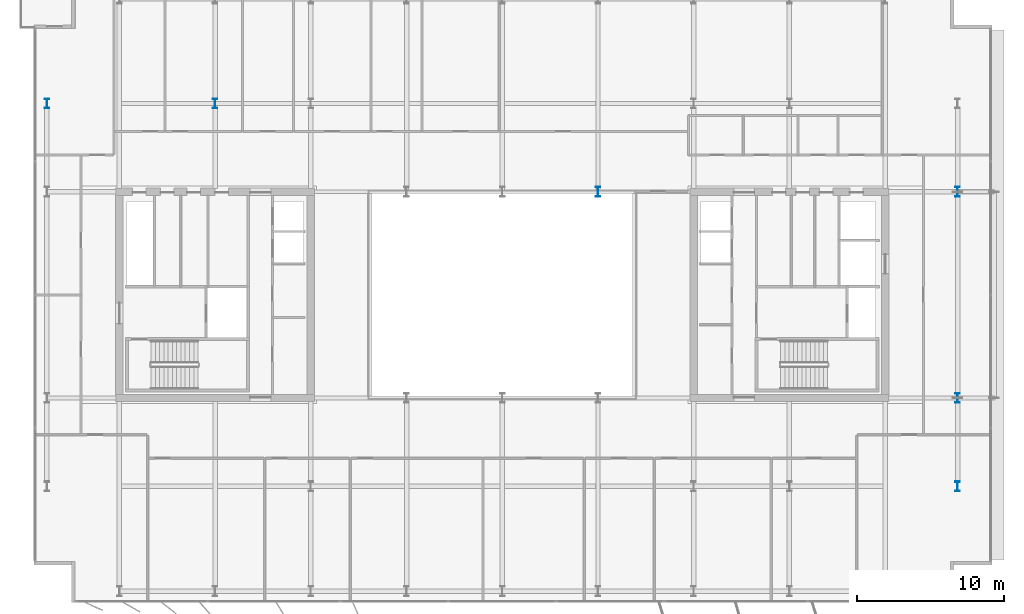
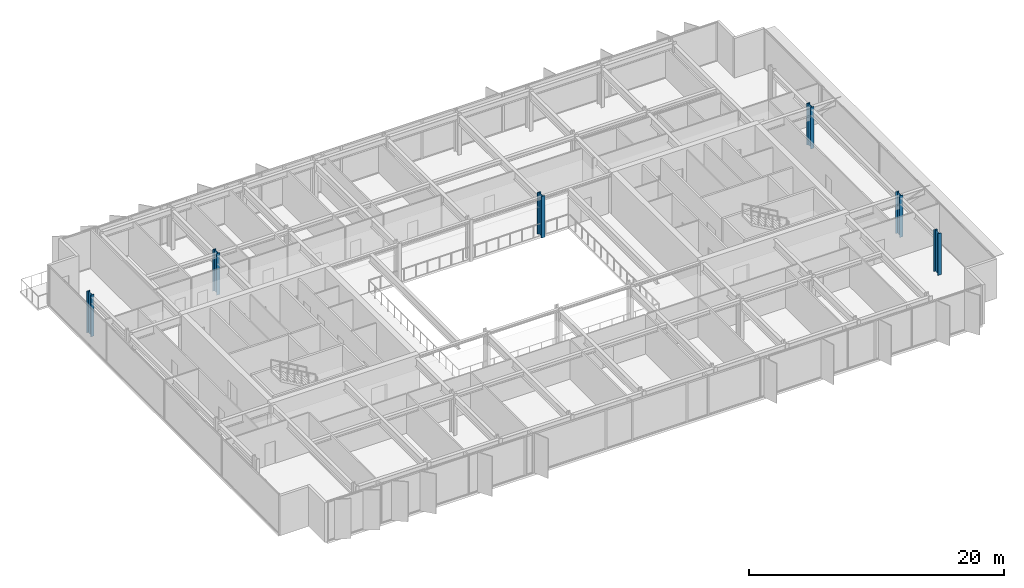
# One storey, part 2 of 21: 6 columns.
"""IFC4 building model written with IfcOpenShell, lengths in metres."""

from ifc_helpers import new_model, si_unit, direction, frame, origin, origin_2d, place, context, subcontext, project, spatial, i_section, extrude, material, material_profile, profile_set, type_object, element, save


model = new_model("IFC4")

# Units and contexts
model_context = context("Model", 3, precision=1e-05, world=origin(), true_north=direction((0.0, 1.0)))
body_context = subcontext(model_context, "Body", "Model", "MODEL_VIEW")
ifc_project = project(units=[si_unit("LENGTHUNIT", "METRE"), si_unit("AREAUNIT", "SQUARE_METRE"), si_unit("VOLUMEUNIT", "CUBIC_METRE"), si_unit("PLANEANGLEUNIT", "RADIAN"), si_unit("MASSUNIT", "GRAM", prefix="KILO")], contexts=[model_context])

# Site, building, storey
site_placement = place(None, origin())
site = spatial("IfcSite", under=ifc_project, at=site_placement, CompositionType="ELEMENT")
building_placement = place(site_placement, origin())
building = spatial("IfcBuilding", under=site, at=building_placement, Name="Putna Gate Headquarters", CompositionType="ELEMENT")
storey_placement = place(building_placement, frame((0.0, 0.0, 278.39990234375)))
storey = spatial("IfcBuildingStorey", under=building, at=storey_placement, Name="L70", CompositionType="ELEMENT", Elevation=278.39990234375)

# Columns
ifc_material = material(Name="Steel S460M", Category="steel")
ifc_material_profile_1 = material_profile(ifc_material, i_section(OverallWidth=0.304931640625, OverallDepth=0.66796875, WebThickness=0.02099609375, FlangeThickness=0.0400390625, at=origin_2d()), Name="Steel S460M")
ifc_profile_set_1 = profile_set([ifc_material_profile_1], Name="Steel S460M")
column_type_1 = type_object("IfcColumnType", Name="COL-STL-HEM650-EXT", PredefinedType="COLUMN", material=ifc_profile_set_1)
for number, where, z_axis, x_axis, name in (
    (1, (69.919921875, 13.0, 0.0), (0.0, 0.0, 1.0), (1.0, 0.0, 0.0), "L70 Column CP-E13"),
    (2, (69.919921875, 19.0, 0.0), (0.0, 0.0, 1.0), (1.0, 0.0, 0.0), "L70 Column CP-E19"),
    (3, (69.919921875, 33.0, 0.0), (0.0, 0.0, 1.0), (1.0, 0.0, 0.0), "L70 Column CP-E33"),
    (4, (8.080078125, 39.0, 0.0), (0.0, 0.0, 1.0), (1.0, 0.0, 0.0), "L70 Column CP-W39"),
):
    element("IfcColumn", number, at=place(storey_placement, frame(where, z_axis=z_axis, x_axis=x_axis)), inside=storey, type_object=column_type_1, Name=name, PredefinedType="COLUMN", context=body_context, shape_type="SweptSolid", body=[
        extrude(i_section(OverallWidth=0.304931640625, OverallDepth=0.66796875, WebThickness=0.02099609375, FlangeThickness=0.0400390625, at=origin_2d()), origin(), (0.0, 0.0, 1.0), 4.0),
    ])
ifc_material_profile_2 = material_profile(ifc_material, i_section(OverallWidth=0.304931640625, OverallDepth=0.66796875, WebThickness=0.02099609375, FlangeThickness=0.0400390625, at=origin_2d()), Name="Steel S460M")
ifc_profile_set_2 = profile_set([ifc_material_profile_2], Name="Steel S460M")
column_type_2 = type_object("IfcColumnType", Name="COL-STL-HEM650-INT", PredefinedType="COLUMN", material=ifc_profile_set_2)
for number, where, z_axis, x_axis, name in (
    (5, (19.5, 39.0, 0.0), (0.0, 0.0, 1.0), (1.0, 0.0, 0.0), "L70 Column CSI-WN"),
    (6, (45.5, 33.0, 0.0), (0.0, 0.0, 1.0), (1.0, 0.0, 0.0), "L70 Column CAI-N45"),
):
    element("IfcColumn", number, at=place(storey_placement, frame(where, z_axis=z_axis, x_axis=x_axis)), inside=storey, type_object=column_type_2, Name=name, PredefinedType="COLUMN", context=body_context, shape_type="SweptSolid", body=[
        extrude(i_section(OverallWidth=0.304931640625, OverallDepth=0.66796875, WebThickness=0.02099609375, FlangeThickness=0.0400390625, at=origin_2d()), origin(), (0.0, 0.0, 1.0), 4.0),
    ])

save(model, "model.ifc")
